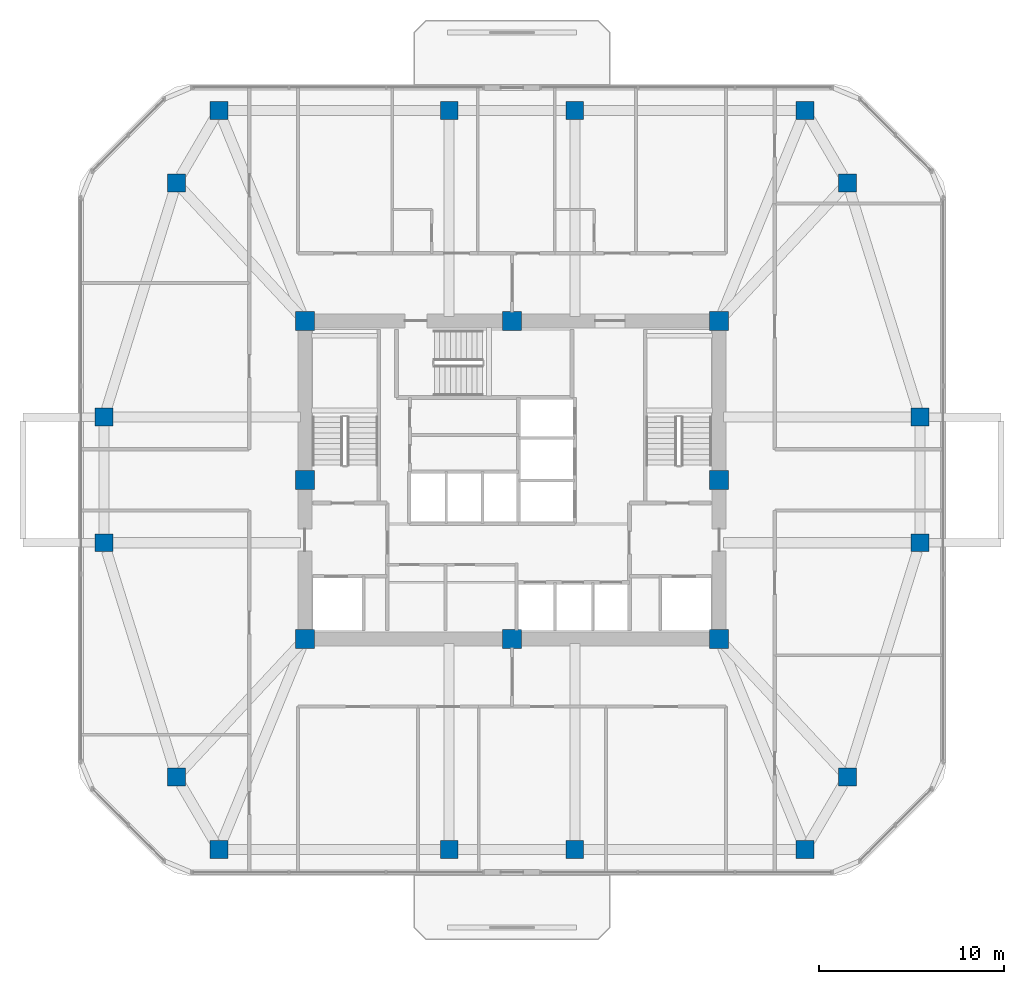
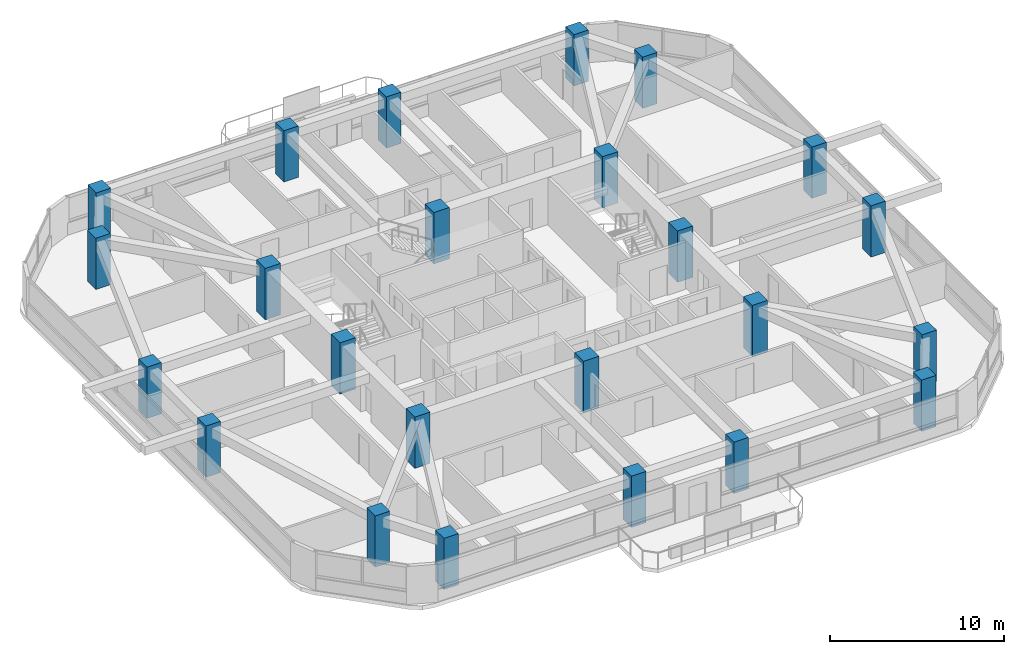
# One storey, part 1 of 12: 24 columns.
"""IFC4 building model written with IfcOpenShell, lengths in metres."""

from ifc_helpers import new_model, si_unit, derived_unit, direction, frame, origin, origin_2d, place, context, subcontext, project, spatial, rectangle, extrude, material, material_profile, profile_set, type_object, element, save


model = new_model("IFC4")

# Units and contexts
model_context = context("Model", 3, precision=1e-05, world=origin(), true_north=direction((0.0, 1.0)))
body_context = subcontext(model_context, "Body", "Model", "MODEL_VIEW")
ifc_project = project(units=[si_unit("LENGTHUNIT", "METRE"), si_unit("AREAUNIT", "SQUARE_METRE"), si_unit("VOLUMEUNIT", "CUBIC_METRE"), si_unit("PLANEANGLEUNIT", "RADIAN"), si_unit("MASSUNIT", "GRAM", prefix="KILO"), derived_unit("THERMALTRANSMITTANCEUNIT", [(si_unit("POWERUNIT", "WATT"), 1), (si_unit("LENGTHUNIT", "METRE"), -2), (si_unit("THERMODYNAMICTEMPERATUREUNIT", "KELVIN"), -1)])], contexts=[model_context])

# Site, building, storey
site_placement = place(None, origin())
site = spatial("IfcSite", under=ifc_project, at=site_placement, CompositionType="ELEMENT")
building_placement = place(site_placement, origin())
building = spatial("IfcBuilding", under=site, at=building_placement, Name="Koralith Skygarden Medical Center", CompositionType="ELEMENT")
storey_placement = place(building_placement, frame((0.0, 0.0, 138.419921875)))
storey = spatial("IfcBuildingStorey", under=building, at=storey_placement, Name="L35", CompositionType="ELEMENT", Elevation=138.419921875)

# Columns
ifc_material_1 = material(Name="Concrete C70/85", Category="concrete")
ifc_material_profile_1 = material_profile(ifc_material_1, rectangle(XDim=1.02001953125, YDim=1.02001953125, at=origin_2d()), Name="RC1020X1020")
ifc_profile_set_1 = profile_set([ifc_material_profile_1], Name="Concrete C70/85")
column_type_1 = type_object("IfcColumnType", Name="Core Mega-Column C70 RC1020", PredefinedType="COLUMN", material=ifc_profile_set_1)
for number, where, z_axis, x_axis, name in (
    (1, (25.800048828125, 17.300048828125, 0.0), (0.0, 0.0, 1.0), (1.0, 0.0, 0.0), "L35 Core Column CC-01"),
    (2, (37.0, 17.300048828125, 0.0), (0.0, 0.0, 1.0), (1.0, 0.0, 0.0), "L35 Core Column CC-02"),
    (3, (48.199951171875, 17.300048828125, 0.0), (0.0, 0.0, 1.0), (1.0, 0.0, 0.0), "L35 Core Column CC-03"),
    (4, (48.199951171875, 25.89990234375, 0.0), (0.0, 0.0, 1.0), (1.0, 0.0, 0.0), "L35 Core Column CC-04"),
    (5, (48.199951171875, 34.5, 0.0), (0.0, 0.0, 1.0), (1.0, 0.0, 0.0), "L35 Core Column CC-05"),
    (6, (37.0, 34.5, 0.0), (0.0, 0.0, 1.0), (1.0, 0.0, 0.0), "L35 Core Column CC-06"),
    (7, (25.800048828125, 34.5, 0.0), (0.0, 0.0, 1.0), (1.0, 0.0, 0.0), "L35 Core Column CC-07"),
    (8, (25.800048828125, 25.89990234375, 0.0), (0.0, 0.0, 1.0), (1.0, 0.0, 0.0), "L35 Core Column CC-08"),
):
    element("IfcColumn", number, at=place(storey_placement, frame(where, z_axis=z_axis, x_axis=x_axis)), inside=storey, type_object=column_type_1, Name=name, PredefinedType="COLUMN", context=body_context, shape_type="SweptSolid", body=[
        extrude(rectangle(XDim=1.02001953125, YDim=1.02001953125, at=origin_2d()), origin(), (0.0, 0.0, 1.0), 3.60009765625),
    ])
ifc_material_2 = material(Name="Concrete C55/67", Category="concrete")
ifc_material_profile_2 = material_profile(ifc_material_2, rectangle(XDim=0.9599609375, YDim=0.9599609375, at=origin_2d()), Name="RC960X960")
ifc_profile_set_2 = profile_set([ifc_material_profile_2], Name="Concrete C55/67")
column_type_2 = type_object("IfcColumnType", Name="Zone 3 Waist Mega-Column C55 RC960", PredefinedType="COLUMN", material=ifc_profile_set_2)
for number, where, z_axis, x_axis, name in (
    (9, (14.93603515625, 22.5, 0.0), (0.0, 0.0, 1.0), (1.0, 0.0, 0.0), "L35 Perimeter Mega-Column MC-01"),
    (10, (18.85595703125, 9.840087890625, 0.0), (0.0, 0.0, 1.0), (1.0, 0.0, 0.0), "L35 Perimeter Mega-Column MC-02"),
    (11, (21.14794921875, 5.919921875, 0.0), (0.0, 0.0, 1.0), (1.0, 0.0, 0.0), "L35 Perimeter Mega-Column MC-03"),
    (12, (33.60009765625, 5.919921875, 0.0), (0.0, 0.0, 1.0), (1.0, 0.0, 0.0), "L35 Perimeter Mega-Column MC-04"),
    (13, (40.39990234375, 5.919921875, 0.0), (0.0, 0.0, 1.0), (1.0, 0.0, 0.0), "L35 Perimeter Mega-Column MC-05"),
    (14, (52.85205078125, 5.919921875, 0.0), (0.0, 0.0, 1.0), (1.0, 0.0, 0.0), "L35 Perimeter Mega-Column MC-06"),
    (15, (55.14404296875, 9.840087890625, 0.0), (0.0, 0.0, 1.0), (1.0, 0.0, 0.0), "L35 Perimeter Mega-Column MC-07"),
    (16, (59.06396484375, 22.5, 0.0), (0.0, 0.0, 1.0), (1.0, 0.0, 0.0), "L35 Perimeter Mega-Column MC-08"),
    (17, (59.06396484375, 29.300048828125, 0.0), (0.0, 0.0, 1.0), (1.0, 0.0, 0.0), "L35 Perimeter Mega-Column MC-09"),
    (18, (55.14404296875, 41.9599609375, 0.0), (0.0, 0.0, 1.0), (1.0, 0.0, 0.0), "L35 Perimeter Mega-Column MC-10"),
    (19, (52.85205078125, 45.8798828125, 0.0), (0.0, 0.0, 1.0), (1.0, 0.0, 0.0), "L35 Perimeter Mega-Column MC-11"),
    (20, (40.39990234375, 45.8798828125, 0.0), (0.0, 0.0, 1.0), (1.0, 0.0, 0.0), "L35 Perimeter Mega-Column MC-12"),
    (21, (33.60009765625, 45.8798828125, 0.0), (0.0, 0.0, 1.0), (1.0, 0.0, 0.0), "L35 Perimeter Mega-Column MC-13"),
    (22, (21.14794921875, 45.8798828125, 0.0), (0.0, 0.0, 1.0), (1.0, 0.0, 0.0), "L35 Perimeter Mega-Column MC-14"),
    (23, (18.85595703125, 41.9599609375, 0.0), (0.0, 0.0, 1.0), (1.0, 0.0, 0.0), "L35 Perimeter Mega-Column MC-15"),
    (24, (14.93603515625, 29.300048828125, 0.0), (0.0, 0.0, 1.0), (1.0, 0.0, 0.0), "L35 Perimeter Mega-Column MC-16"),
):
    element("IfcColumn", number, at=place(storey_placement, frame(where, z_axis=z_axis, x_axis=x_axis)), inside=storey, type_object=column_type_2, Name=name, PredefinedType="COLUMN", context=body_context, shape_type="SweptSolid", body=[
        extrude(rectangle(XDim=0.9599609375, YDim=0.9599609375, at=origin_2d()), origin(), (0.0, 0.0, 1.0), 3.60009765625),
    ])

save(model, "model.ifc")
